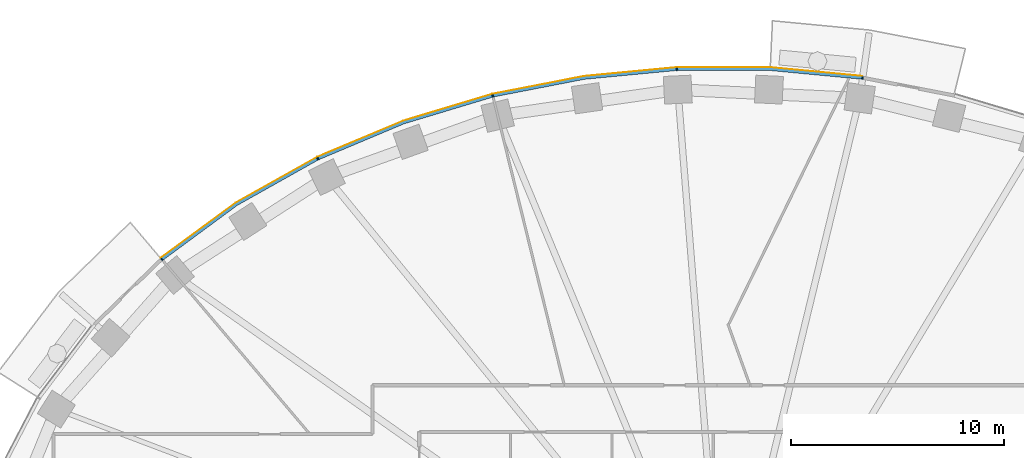
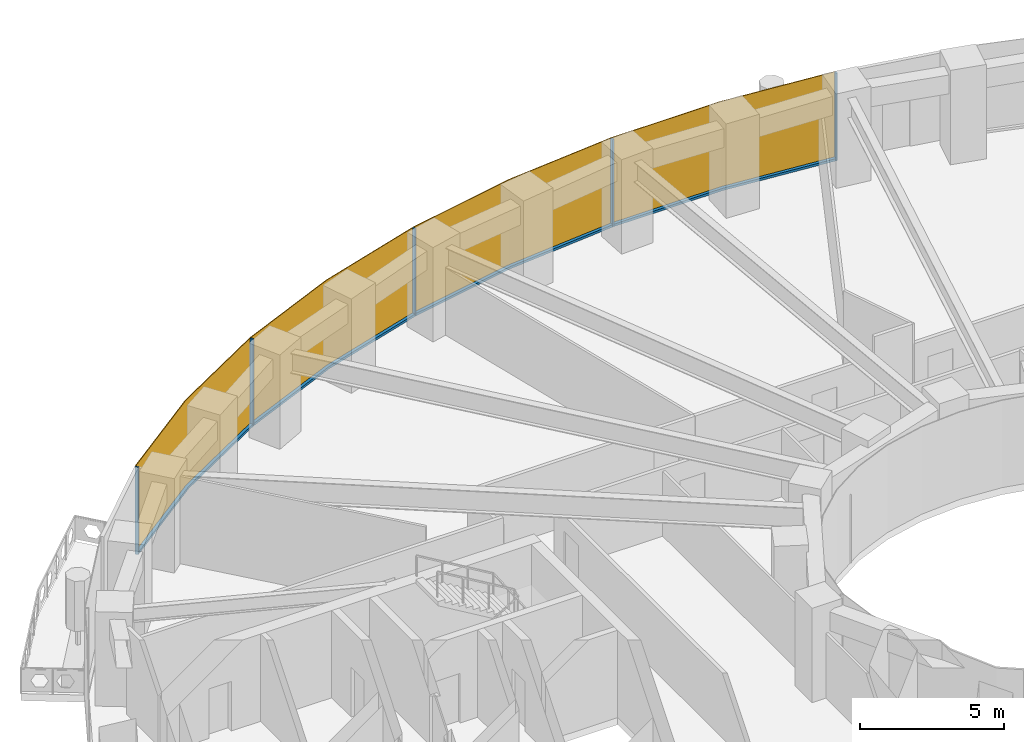
# One storey, part 11 of 16: 9 members, 1 curtain wall.
"""IFC4 building model written with IfcOpenShell, lengths in metres."""

from ifc_helpers import new_model, si_unit, direction, frame, origin, origin_2d, place, context, subcontext, project, spatial, polyline, rectangle, outline, extrude, material, layer, layer_set, material_profile, profile_set, type_object, element, aggregate, save


model = new_model("IFC4")

# Units and contexts
model_context = context("Model", 3, precision=1e-05, world=origin(), true_north=direction((0.0, 1.0)))
body_context = subcontext(model_context, "Body", "Model", "MODEL_VIEW")
ifc_project = project(units=[si_unit("LENGTHUNIT", "METRE"), si_unit("AREAUNIT", "SQUARE_METRE"), si_unit("VOLUMEUNIT", "CUBIC_METRE"), si_unit("PLANEANGLEUNIT", "RADIAN"), si_unit("MASSUNIT", "GRAM", prefix="KILO")], contexts=[model_context])

# Member
ifc_material_1 = material(Name="Aluminium 6063-T6 black anodised", Category="aluminium")
ifc_material_profile = material_profile(ifc_material_1, rectangle(XDim=0.1201171875, YDim=0.06005859375, at=origin_2d()), Name="120x60")
ifc_profile_set = profile_set([ifc_material_profile], Name="Aluminium 6063-T6 black anodised")
member_type_1 = type_object("IfcMemberType", Name="ENV-MULLION-A-120", PredefinedType="MULLION", material=ifc_profile_set)
site_placement = place(None, origin())
building_placement = place(site_placement, origin())
storey_placement = place(building_placement, frame((0.0, 0.0, 100.0)))
member_1_placement = place(storey_placement, frame((6.54638671875, 27.440185546875, 0.0), z_axis=(0.0, 0.0, 1.0), x_axis=(-0.143082012705, -0.989710835366, 0.0)))
member_1 = element("IfcMember", 1, at=member_1_placement, type_object=member_type_1, Name="Mullion A radial 11", PredefinedType="MULLION", context=body_context, shape_type="SweptSolid", body=[
    extrude(rectangle(XDim=0.1201171875, YDim=0.06005859375, at=origin_2d()), origin(), (0.0, 0.0, 1.0), 3.699951171875),
])

member_2_placement = place(storey_placement, frame((-2.188720703125, 27.856201171875, 0.0), z_axis=(0.0, 0.0, 1.0), x_axis=(0.047557873581, -0.998868484166, 0.0)))
member_2 = element("IfcMember", 2, at=member_2_placement, type_object=member_type_1, Name="Mullion A radial 13", PredefinedType="MULLION", context=body_context, shape_type="SweptSolid", body=[
    extrude(rectangle(XDim=0.1201171875, YDim=0.06005859375, at=origin_2d()), origin(), (0.0, 0.0, 1.0), 3.699951171875),
])

member_3_placement = place(storey_placement, frame((-10.84326171875, 26.60498046875, 0.0), z_axis=(0.0, 0.0, 1.0), x_axis=(0.239799081534, -0.970822538106, 0.0)))
member_3 = element("IfcMember", 3, at=member_3_placement, type_object=member_type_1, Name="Mullion A radial 15", PredefinedType="MULLION", context=body_context, shape_type="SweptSolid", body=[
    extrude(rectangle(XDim=0.1201171875, YDim=0.06005859375, at=origin_2d()), origin(), (0.0, 0.0, 1.0), 3.699951171875),
])

member_4_placement = place(storey_placement, frame((-19.06787109375, 23.6474609375, 0.0), z_axis=(0.0, 0.0, 1.0), x_axis=(0.439237769837, -0.898370848563, 0.0)))
member_4 = element("IfcMember", 4, at=member_4_placement, type_object=member_type_1, Name="Mullion A radial 17", PredefinedType="MULLION", context=body_context, shape_type="SweptSolid", body=[
    extrude(rectangle(XDim=0.1201171875, YDim=0.06005859375, at=origin_2d()), origin(), (0.0, 0.0, 1.0), 3.699951171875),
])

member_5_placement = place(storey_placement, frame((-26.403564453125, 18.9130859375, 0.0), z_axis=(0.0, 0.0, 1.0), x_axis=(0.646451313783, -0.762955240435, 0.0)))
member_5 = element("IfcMember", 5, at=member_5_placement, type_object=member_type_1, Name="Mullion A radial 19", PredefinedType="MULLION", context=body_context, shape_type="SweptSolid", body=[
    extrude(rectangle(XDim=0.1201171875, YDim=0.06005859375, at=origin_2d()), origin(), (0.0, 0.0, 1.0), 3.699951171875),
])

ifc_material_2 = material(Name="Aluminium 6063-T6 black anodised", Category="aluminium")
member_type_2 = type_object("IfcMemberType", Name="ENV-TRANSOM-A", PredefinedType="USERDEFINED", material=ifc_material_2)
member_6_placement = place(storey_placement, origin())
member_6 = element("IfcMember", 6, at=member_6_placement, type_object=member_type_2, Name="Transom A radial 11-13", ObjectType="TRANSOM", PredefinedType="USERDEFINED", context=body_context, shape_type="SweptSolid", body=[
    extrude(outline(polyline([(6.527099609375, 27.502197265625), (2.191650390625, 27.916015625), (-2.163818359375, 27.916015625), (-2.157958984375, 27.7958984375), (2.185791015625, 27.7958984375), (6.510009765625, 27.38330078125), (6.527099609375, 27.502197265625)])), origin(), (0.0, 0.0, 1.0), 0.10009765625),
])

member_7_placement = place(storey_placement, origin())
member_7 = element("IfcMember", 7, at=member_7_placement, type_object=member_type_2, Name="Transom A radial 13-15", ObjectType="TRANSOM", PredefinedType="USERDEFINED", context=body_context, shape_type="SweptSolid", body=[
    extrude(outline(polyline([(-2.219482421875, 27.913330078125), (-6.55517578125, 27.49951171875), (-10.830078125, 26.66845703125), (-10.80126953125, 26.552001953125), (-6.537841796875, 27.380615234375), (-2.2138671875, 27.793212890625), (-2.219482421875, 27.913330078125)])), origin(), (0.0, 0.0, 1.0), 0.10009765625),
])

member_8_placement = place(storey_placement, origin())
member_8 = element("IfcMember", 8, at=member_8_placement, type_object=member_type_2, Name="Transom A radial 15-17", ObjectType="TRANSOM", PredefinedType="USERDEFINED", context=body_context, shape_type="SweptSolid", body=[
    extrude(outline(polyline([(-10.884521484375, 26.655029296875), (-15.054443359375, 25.400146484375), (-19.068359375, 23.71240234375), (-19.015380859375, 23.604248046875), (-15.013916015625, 25.287109375), (-10.855712890625, 26.53857421875), (-10.884521484375, 26.655029296875)])), origin(), (0.0, 0.0, 1.0), 0.10009765625),
])

member_9_placement = place(storey_placement, origin())
member_9 = element("IfcMember", 9, at=member_9_placement, type_object=member_type_2, Name="Transom A radial 17-19", ObjectType="TRANSOM", PredefinedType="USERDEFINED", context=body_context, shape_type="SweptSolid", body=[
    extrude(outline(polyline([(-19.11865234375, 23.687744140625), (-22.9150390625, 21.556884765625), (-26.419921875, 18.975341796875), (-26.342041015625, 18.883544921875), (-22.85009765625, 21.455810546875), (-19.06591796875, 23.57958984375), (-19.11865234375, 23.687744140625)])), origin(), (0.0, 0.0, 1.0), 0.10009765625),
])

# Site, building, storey
site = spatial("IfcSite", under=ifc_project, at=site_placement, CompositionType="ELEMENT")
building = spatial("IfcBuilding", under=site, at=building_placement, Name="Noorbagh Ring Tower", CompositionType="ELEMENT")
storey = spatial("IfcBuildingStorey", under=building, at=storey_placement, Name="L22", CompositionType="ELEMENT", Elevation=100.0)

# Curtain wall
ifc_material_3 = material(Name="Glass dark tinted laminated", Category="glass")
ifc_layer = layer(ifc_material_3, 0.031982421875)
ifc_layer_set = layer_set([ifc_layer], Name="Glass dark tinted laminated")
curtain_wall_type = type_object("IfcCurtainWallType", Name="ENV-CW-A", PredefinedType="NOTDEFINED", material=ifc_layer_set)
curtain_wall_placement = place(storey_placement, origin())
curtain_wall = element("IfcCurtainWall", 10, at=curtain_wall_placement, inside=storey, type_object=curtain_wall_type, Name="Curtain wall A R11", PredefinedType="NOTDEFINED", context=body_context, shape_type="SweptSolid", body=[
    extrude(outline(polyline([(6.539794921875, 27.533203125), (2.193115234375, 27.947998046875), (-2.193115234375, 27.947998046875), (-6.559814453125, 27.53125), (-10.865234375, 26.6943359375), (-15.065185546875, 25.430419921875), (-19.108154296875, 23.730224609375), (-22.9326171875, 21.583740234375), (-26.447021484375, 18.9951171875), (-26.42626953125, 18.970703125), (-22.9150390625, 21.556884765625), (-19.093994140625, 23.701416015625), (-15.054443359375, 25.400146484375), (-10.857666015625, 26.6630859375), (-6.55517578125, 27.49951171875), (-2.191650390625, 27.916015625), (2.191650390625, 27.916015625), (6.53515625, 27.50146484375), (6.539794921875, 27.533203125)])), origin(), (0.0, 0.0, 1.0), 3.699951171875),
])

aggregate(curtain_wall, [member_1, member_2, member_3, member_4, member_5, member_6, member_7, member_8, member_9])

save(model, "model.ifc")
